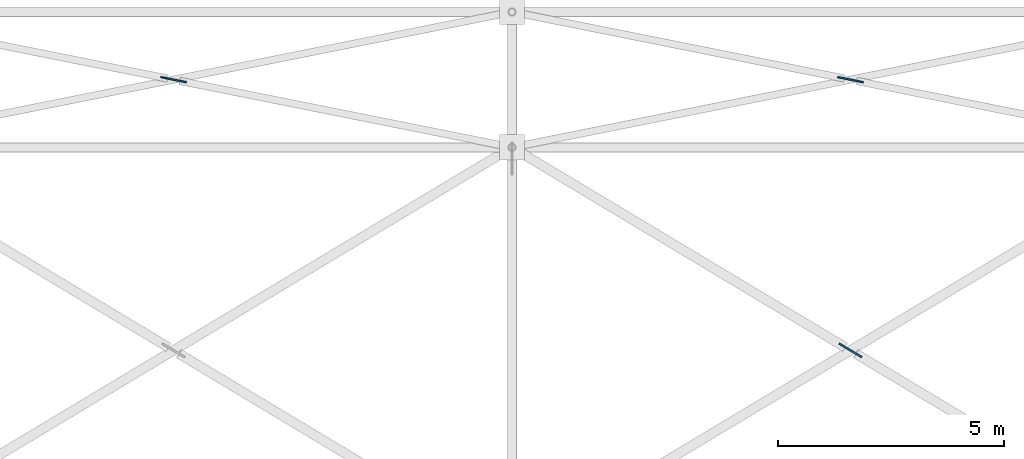
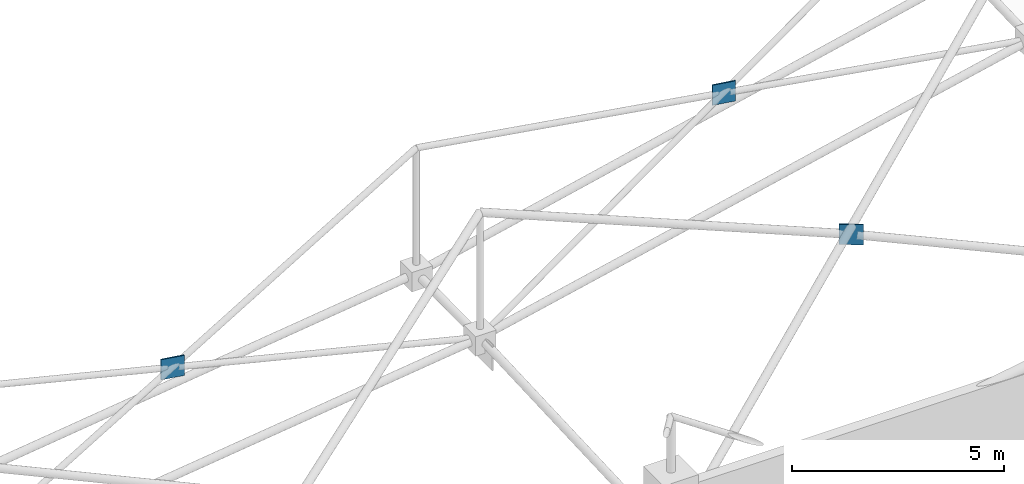
# One storey, part 189 of 224: 3 plates.
"""IFC4 building model written with IfcOpenShell, lengths in metres."""

from ifc_helpers import new_model, si_unit, direction, frame, origin, origin_2d, place, context, subcontext, project, spatial, rectangle, extrude, material, layer, layer_set, type_object, element, save


model = new_model("IFC4")

# Units and contexts
model_context = context("Model", 3, precision=1e-05, world=origin(), true_north=direction((0.0, 1.0)))
body_context = subcontext(model_context, "Body", "Model", "MODEL_VIEW")
ifc_project = project(units=[si_unit("LENGTHUNIT", "METRE"), si_unit("AREAUNIT", "SQUARE_METRE"), si_unit("VOLUMEUNIT", "CUBIC_METRE"), si_unit("PLANEANGLEUNIT", "RADIAN"), si_unit("MASSUNIT", "GRAM", prefix="KILO")], contexts=[model_context])

# Site, building, storey
site_placement = place(None, origin())
site = spatial("IfcSite", under=ifc_project, at=site_placement, CompositionType="ELEMENT")
building_placement = place(site_placement, origin())
building = spatial("IfcBuilding", under=site, at=building_placement, Name="Qamarlyn Nura Convention Centre", CompositionType="ELEMENT")
storey_placement = place(building_placement, frame((0.0, 0.0, 10.800048828125)))
storey = spatial("IfcBuildingStorey", under=building, at=storey_placement, Name="L02", CompositionType="ELEMENT", Elevation=10.800048828125)

# Plates
ifc_material = material(Name="Structural steel ASTM A572 Grade 50", Category="steel")
ifc_layer = layer(ifc_material, 0.035888671875, Name="GP-SN1")
ifc_layer_set = layer_set([ifc_layer], Name="Structural steel ASTM A572 Grade 50")
plate_type = type_object("IfcPlateType", Name="GP-SN1", PredefinedType="USERDEFINED", material=ifc_layer_set)
for number, where, z_axis, x_axis, name in (
    (1, (97.5, 113.5, 3.737548828125), (0.0, 0.0, 1.0), (-0.980580786845, 0.196115579366, 0.0), "Space frame X-brace crossing gusset plate 8-8"),
    (2, (112.5, 107.5, 5.94970703125), (0.0, 0.0, 1.0), (-0.857492535386, 0.514496405972, 0.0), "Space frame X-brace crossing gusset plate 9-7"),
    (3, (112.5, 113.5, 6.380859375), (0.0, 0.0, 1.0), (-0.980580786845, 0.196115579366, 0.0), "Space frame X-brace crossing gusset plate 9-8"),
):
    element("IfcPlate", number, at=place(storey_placement, frame(where, z_axis=z_axis, x_axis=x_axis)), inside=storey, type_object=plate_type, Name=name, ObjectType="GUSSET PLATE", PredefinedType="USERDEFINED", context=body_context, shape_type="SweptSolid", body=[
        extrude(rectangle(XDim=0.580078125, YDim=0.035888671875, at=origin_2d()), origin(), (0.0, 0.0, 1.0), 0.580078125),
    ])

save(model, "model.ifc")
